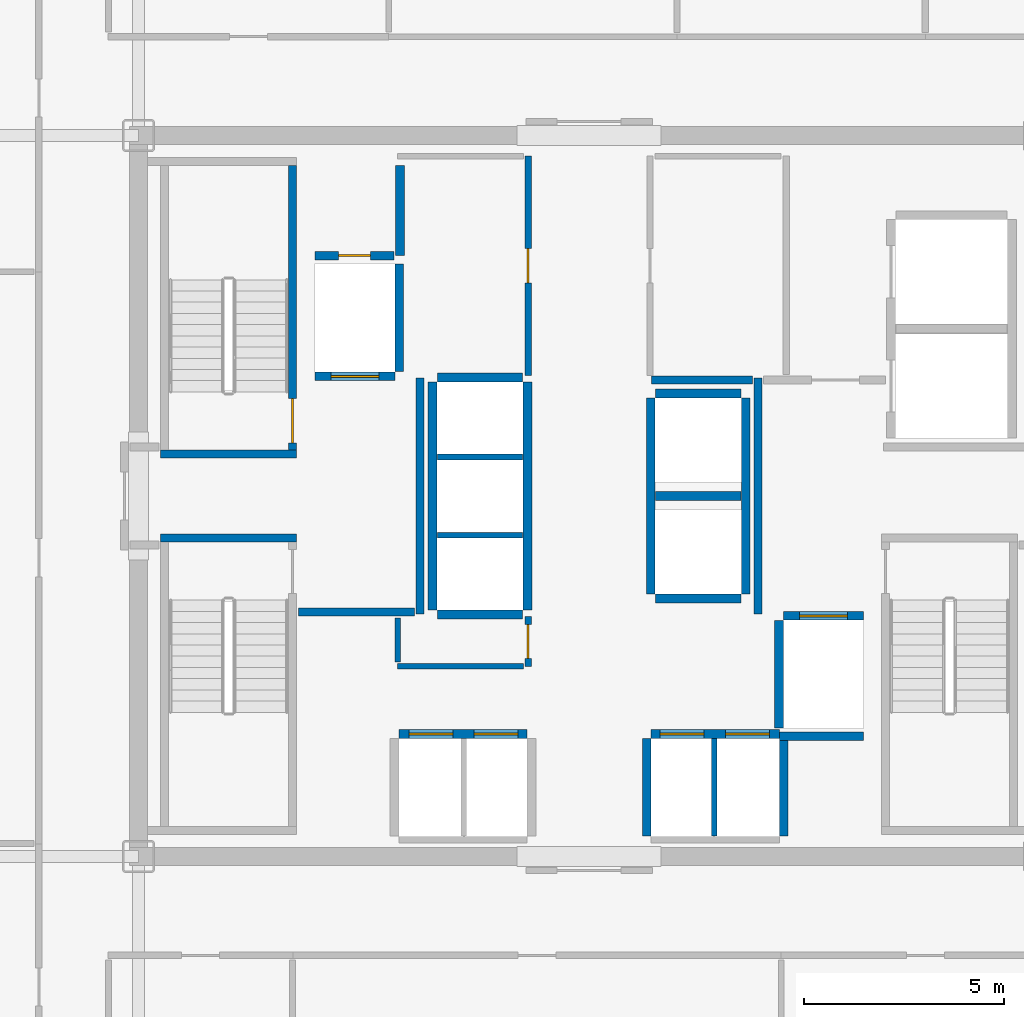
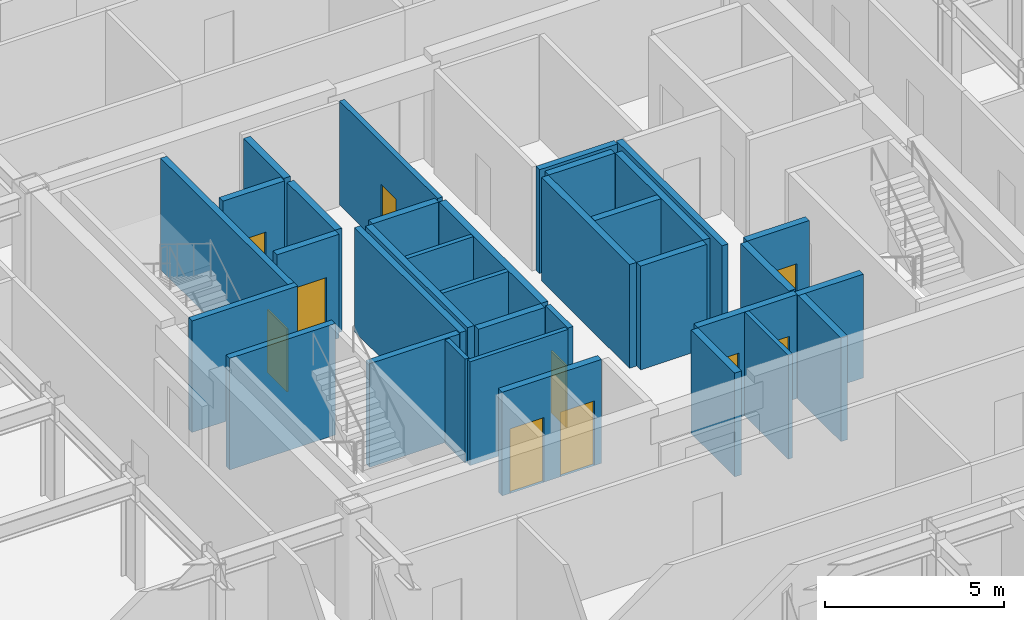
# One storey, part 15 of 20: 34 walls, 10 doors, 10 openings.
"""IFC4 building model written with IfcOpenShell, lengths in metres."""

from ifc_helpers import new_model, si_unit, direction, frame, frame_2d, origin, place, context, subcontext, project, spatial, rectangle, extrude, source, transform, mapped, material, layer, layer_set, type_object, element, fill, save


model = new_model("IFC4")

# Units and contexts
model_context = context("Model", 3, precision=1e-05, world=origin(), true_north=direction((0.0, 1.0)))
body_context = subcontext(model_context, "Body", "Model", "MODEL_VIEW")
ifc_project = project(units=[si_unit("LENGTHUNIT", "METRE"), si_unit("AREAUNIT", "SQUARE_METRE"), si_unit("VOLUMEUNIT", "CUBIC_METRE"), si_unit("PLANEANGLEUNIT", "RADIAN"), si_unit("MASSUNIT", "GRAM", prefix="KILO")], contexts=[model_context])

# Site, building, storey
site_placement = place(None, origin())
site = spatial("IfcSite", under=ifc_project, at=site_placement, CompositionType="ELEMENT")
building_placement = place(site_placement, origin())
building = spatial("IfcBuilding", under=site, at=building_placement, Name="Nefas-Gora Pilgrimage Tower", CompositionType="ELEMENT")
storey_placement = place(building_placement, frame((0.0, 0.0, 244.60009765625)))
storey = spatial("IfcBuildingStorey", under=building, at=storey_placement, Name="L61", CompositionType="ELEMENT", Elevation=244.60009765625)

# Walls
ifc_material_1 = material(Name="Concrete C45/55", Category="concrete")
ifc_layer_1 = layer(ifc_material_1, 0.199951171875)
ifc_layer_set_1 = layer_set([ifc_layer_1], Name="Concrete C45/55")
wall_type_1 = type_object("IfcWallType", Name="IW-STAIR-200", PredefinedType="SOLIDWALL", material=ifc_layer_set_1)
shared_shape_1 = source(origin(), body_context, "Body", "SweptSolid", [
    extrude(rectangle(XDim=3.39990234375, YDim=0.199951171875, at=frame_2d((1.699951171875, 0.0))), origin(), (0.0, 0.0, 1.0), 3.7998046875),
])
for number, where, z_axis, x_axis, name in (
    (1, (-7.300048828125, 1.050048828125, 0.0), (0.0, 0.0, 1.0), (-1.0, 0.0, 0.0), "L61 Stairwell Shear Wall ST-01-near"),
    (2, (-10.699951171875, -1.050048828125, 0.0), (0.0, 0.0, 1.0), (1.0, 0.0, 0.0), "L61 Stairwell Shear Wall ST-03-near"),
):
    element("IfcWall", number, at=place(storey_placement, frame(where, z_axis=z_axis, x_axis=x_axis)), inside=storey, type_object=wall_type_1, Name=name, PredefinedType="SOLIDWALL", context=body_context, shape_type="MappedRepresentation", body=[
        mapped(shared_shape_1, transform((0.0, 0.0, 0.0), x_axis=(1.0, 0.0, 0.0), y_axis=(0.0, 1.0, 0.0), z_axis=(0.0, 0.0, 1.0), scale=1.0)),
    ])

# Wall, opening, door
shared_shape_2 = source(origin(), body_context, "Body", "SweptSolid", [
    extrude(rectangle(XDim=7.10009765625, YDim=0.199951171875, at=frame_2d((3.550048828125, 0.0))), origin(), (0.0, 0.0, 1.0), 3.7998046875),
])
wall_1_placement = place(storey_placement, frame((-7.39990234375, 1.14990234375, 0.0), z_axis=(0.0, 0.0, 1.0), x_axis=(0.0, 1.0, 0.0)))
wall_1 = element("IfcWall", 3, at=wall_1_placement, inside=storey, type_object=wall_type_1, Name="L61 Stairwell Shear Wall ST-01-left", PredefinedType="SOLIDWALL", context=body_context, shape_type="MappedRepresentation", body=[
    mapped(shared_shape_2, transform((0.0, 0.0, 0.0), x_axis=(1.0, 0.0, 0.0), y_axis=(0.0, 1.0, 0.0), z_axis=(0.0, 0.0, 1.0), scale=1.0)),
])
opening_1_placement = place(wall_1_placement, frame((0.179931640625, 0.0, 0.0)))
opening_1 = element("IfcOpeningElement", 4, at=opening_1_placement, cuts=wall_1, Name="Opening ID-ST1", PredefinedType="OPENING", context=body_context, shape_type="SweptSolid", body=[
    extrude(rectangle(XDim=1.10009765625, YDim=2.14990234375, at=frame_2d((0.550048828125, 1.074951171875))), frame((0.0, 0.10986328125, 0.0), z_axis=(0.0, -1.0, 0.0), x_axis=(1.0, 0.0, 0.0)), (0.0, 0.0, 1.0), 0.219970703125),
])
ifc_material_2 = material(Name="Painted galvanised steel fire stair door", Category="steel")
door_type_1 = type_object("IfcDoorType", Name="DR-INT-STAIR-1100", OperationType="NOTDEFINED", PredefinedType="DOOR", material=ifc_material_2)
shared_shape_3 = source(origin(), body_context, "Body", "SweptSolid", [
    extrude(rectangle(XDim=1.10009765625, YDim=2.14990234375, at=frame_2d((0.550048828125, 1.074951171875))), frame((0.0, 0.02490234375, 0.0), z_axis=(0.0, -1.0, 0.0), x_axis=(1.0, 0.0, 0.0)), (0.0, 0.0, 1.0), 0.050048828125),
])
door_1_placement = place(opening_1_placement, origin())
door_1 = element("IfcDoor", 5, at=door_1_placement, inside=storey, type_object=door_type_1, Name="L61 Protected Exit Stair Door ST-01", OperationType="SINGLE_SWING_LEFT", OverallHeight=2.14990234375, OverallWidth=1.10009765625, PredefinedType="DOOR", context=body_context, shape_type="MappedRepresentation", body=[
    mapped(shared_shape_3, transform((0.0, 0.0, 0.0), x_axis=(1.0, 0.0, 0.0), y_axis=(0.0, 1.0, 0.0), z_axis=(0.0, 0.0, 1.0), scale=1.0)),
])
fill(opening_1, door_1)

ifc_material_3 = material(Name="Concrete C40/50", Category="concrete")
ifc_layer_2 = layer(ifc_material_3, 0.219970703125)
ifc_layer_set_2 = layer_set([ifc_layer_2], Name="Concrete C40/50")
wall_type_2 = type_object("IfcWallType", Name="IW-SHAFT-220", PredefinedType="SOLIDWALL", material=ifc_layer_set_2)
shared_shape_4 = source(origin(), body_context, "Body", "SweptSolid", [
    extrude(rectangle(XDim=2.0, YDim=0.219970703125, at=frame_2d((1.0, 0.0))), origin(), (0.0, 0.0, 1.0), 3.534912109375),
])
wall_2_placement = place(storey_placement, frame((-6.85009765625, 2.989990234375, 0.0), z_axis=(0.0, 0.0, 1.0), x_axis=(1.0, 0.0, 0.0)))
wall_2 = element("IfcWall", 6, at=wall_2_placement, inside=storey, type_object=wall_type_2, Name="L61 Hoistway Wall FFL-01-S", PredefinedType="SOLIDWALL", context=body_context, shape_type="MappedRepresentation", body=[
    mapped(shared_shape_4, transform((0.0, 0.0, 0.0), x_axis=(1.0, 0.0, 0.0), y_axis=(0.0, 1.0, 0.0), z_axis=(0.0, 0.0, 1.0), scale=1.0)),
])
opening_2_placement = place(wall_2_placement, frame((0.39990234375, 0.0, 0.0)))
opening_2 = element("IfcOpeningElement", 7, at=opening_2_placement, cuts=wall_2, Name="Opening LD-FF", PredefinedType="OPENING", context=body_context, shape_type="SweptSolid", body=[
    extrude(rectangle(XDim=1.199951171875, YDim=2.199951171875, at=frame_2d((0.60009765625, 1.10009765625))), frame((0.0, 0.119873046875, 0.0), z_axis=(0.0, -1.0, 0.0), x_axis=(1.0, 0.0, 0.0)), (0.0, 0.0, 1.0), 0.239990234375),
])
ifc_material_4 = material(Name="Fire-service sliding lift landing door")
door_type_2 = type_object("IfcDoorType", Name="DR-LIFT-FSAE-1200", OperationType="SLIDING_TO_LEFT", PredefinedType="DOOR", material=ifc_material_4)
shared_shape_5 = source(origin(), body_context, "Body", "SweptSolid", [
    extrude(rectangle(XDim=1.199951171875, YDim=2.199951171875, at=frame_2d((0.60009765625, 1.10009765625))), frame((0.0, 0.02490234375, 0.0), z_axis=(0.0, -1.0, 0.0), x_axis=(1.0, 0.0, 0.0)), (0.0, 0.0, 1.0), 0.050048828125),
])
door_2_placement = place(opening_2_placement, origin())
door_2 = element("IfcDoor", 8, at=door_2_placement, inside=storey, type_object=door_type_2, Name="L61 Sliding Lift Landing Door FFL-01", OperationType="SLIDING_TO_LEFT", OverallHeight=2.199951171875, OverallWidth=1.199951171875, PredefinedType="DOOR", context=body_context, shape_type="MappedRepresentation", body=[
    mapped(shared_shape_5, transform((0.0, 0.0, 0.0), x_axis=(1.0, 0.0, 0.0), y_axis=(0.0, 1.0, 0.0), z_axis=(0.0, 0.0, 1.0), scale=1.0)),
])
fill(opening_2, door_2)

wall_3_placement = place(storey_placement, frame((6.85009765625, -2.989990234375, 0.0), z_axis=(0.0, 0.0, 1.0), x_axis=(-1.0, 0.0, 0.0)))
wall_3 = element("IfcWall", 9, at=wall_3_placement, inside=storey, type_object=wall_type_2, Name="L61 Hoistway Wall FFL-02-N", PredefinedType="SOLIDWALL", context=body_context, shape_type="MappedRepresentation", body=[
    mapped(shared_shape_4, transform((0.0, 0.0, 0.0), x_axis=(1.0, 0.0, 0.0), y_axis=(0.0, 1.0, 0.0), z_axis=(0.0, 0.0, 1.0), scale=1.0)),
])
opening_3_placement = place(wall_3_placement, frame((0.39990234375, 0.0, 0.0)))
opening_3 = element("IfcOpeningElement", 10, at=opening_3_placement, cuts=wall_3, Name="Opening LD-FF", PredefinedType="OPENING", context=body_context, shape_type="SweptSolid", body=[
    extrude(rectangle(XDim=1.199951171875, YDim=2.199951171875, at=frame_2d((0.60009765625, 1.10009765625))), frame((0.0, 0.119873046875, 0.0), z_axis=(0.0, -1.0, 0.0), x_axis=(1.0, 0.0, 0.0)), (0.0, 0.0, 1.0), 0.239990234375),
])
door_3_placement = place(opening_3_placement, origin())
door_3 = element("IfcDoor", 11, at=door_3_placement, inside=storey, type_object=door_type_2, Name="L61 Sliding Lift Landing Door FFL-02", OperationType="SLIDING_TO_LEFT", OverallHeight=2.199951171875, OverallWidth=1.199951171875, PredefinedType="DOOR", context=body_context, shape_type="MappedRepresentation", body=[
    mapped(shared_shape_5, transform((0.0, 0.0, 0.0), x_axis=(1.0, 0.0, 0.0), y_axis=(0.0, 1.0, 0.0), z_axis=(0.0, 0.0, 1.0), scale=1.0)),
])
fill(opening_3, door_3)

# Walls
shared_shape_6 = source(origin(), body_context, "Body", "SweptSolid", [
    extrude(rectangle(XDim=2.679931640625, YDim=0.219970703125, at=frame_2d((1.33984375, 0.0))), origin(), (0.0, 0.0, 1.0), 3.534912109375),
])
for number, where, z_axis, x_axis, name in (
    (12, (-4.739990234375, 3.110107421875, 0.0), (0.0, 0.0, 1.0), (0.0, 1.0, 0.0), "L61 Hoistway Wall FFL-01-E"),
    (13, (4.739990234375, -3.110107421875, 0.0), (0.0, 0.0, 1.0), (0.0, -1.0, 0.0), "L61 Hoistway Wall FFL-02-W"),
):
    element("IfcWall", number, at=place(storey_placement, frame(where, z_axis=z_axis, x_axis=x_axis)), inside=storey, type_object=wall_type_2, Name=name, PredefinedType="SOLIDWALL", context=body_context, shape_type="MappedRepresentation", body=[
        mapped(shared_shape_6, transform((0.0, 0.0, 0.0), x_axis=(1.0, 0.0, 0.0), y_axis=(0.0, 1.0, 0.0), z_axis=(0.0, 0.0, 1.0), scale=1.0)),
    ])

# Wall, openings, doors
shared_shape_7 = source(origin(), body_context, "Body", "SweptSolid", [
    extrude(rectangle(XDim=3.199951171875, YDim=0.219970703125, at=frame_2d((1.60009765625, 0.0))), origin(), (0.0, 0.0, 1.0), 3.534912109375),
])
wall_4_placement = place(storey_placement, frame((-1.550048828125, -5.93994140625, 0.0), z_axis=(0.0, 0.0, 1.0), x_axis=(-1.0, 0.0, 0.0)))
wall_4 = element("IfcWall", 14, at=wall_4_placement, inside=storey, type_object=wall_type_2, Name="L61 Hoistway Wall PL2-W-N", PredefinedType="SOLIDWALL", context=body_context, shape_type="MappedRepresentation", body=[
    mapped(shared_shape_7, transform((0.0, 0.0, 0.0), x_axis=(1.0, 0.0, 0.0), y_axis=(0.0, 1.0, 0.0), z_axis=(0.0, 0.0, 1.0), scale=1.0)),
])
opening_4_placement = place(wall_4_placement, frame((1.85009765625, 0.0, 0.0)))
opening_4 = element("IfcOpeningElement", 15, at=opening_4_placement, cuts=wall_4, Name="Opening LD-01", PredefinedType="OPENING", context=body_context, shape_type="SweptSolid", body=[
    extrude(rectangle(XDim=1.10009765625, YDim=2.199951171875, at=frame_2d((0.550048828125, 1.10009765625))), frame((0.0, 0.119873046875, 0.0), z_axis=(0.0, -1.0, 0.0), x_axis=(1.0, 0.0, 0.0)), (0.0, 0.0, 1.0), 0.239990234375),
])
opening_5_placement = place(wall_4_placement, frame((0.22509765625, 0.0, 0.0)))
opening_5 = element("IfcOpeningElement", 16, at=opening_5_placement, cuts=wall_4, Name="Opening LD-01", PredefinedType="OPENING", context=body_context, shape_type="SweptSolid", body=[
    extrude(rectangle(XDim=1.10009765625, YDim=2.199951171875, at=frame_2d((0.550048828125, 1.10009765625))), frame((0.0, 0.119873046875, 0.0), z_axis=(0.0, -1.0, 0.0), x_axis=(1.0, 0.0, 0.0)), (0.0, 0.0, 1.0), 0.239990234375),
])
ifc_material_5 = material(Name="Brushed stainless sliding lift landing door")
door_type_3 = type_object("IfcDoorType", Name="DR-LIFT-PASS-1100", OperationType="DOUBLE_DOOR_SLIDING", PredefinedType="DOOR", material=ifc_material_5)
shared_shape_8 = source(origin(), body_context, "Body", "SweptSolid", [
    extrude(rectangle(XDim=1.10009765625, YDim=2.199951171875, at=frame_2d((0.550048828125, 1.10009765625))), frame((0.0, 0.02490234375, 0.0), z_axis=(0.0, -1.0, 0.0), x_axis=(1.0, 0.0, 0.0)), (0.0, 0.0, 1.0), 0.050048828125),
])
door_4_placement = place(opening_4_placement, origin())
door_4 = element("IfcDoor", 17, at=door_4_placement, inside=storey, type_object=door_type_3, Name="L61 Sliding Lift Landing Door PL2-01", OperationType="DOUBLE_DOOR_SLIDING", OverallHeight=2.199951171875, OverallWidth=1.10009765625, PredefinedType="DOOR", context=body_context, shape_type="MappedRepresentation", body=[
    mapped(shared_shape_8, transform((0.0, 0.0, 0.0), x_axis=(1.0, 0.0, 0.0), y_axis=(0.0, 1.0, 0.0), z_axis=(0.0, 0.0, 1.0), scale=1.0)),
])
fill(opening_4, door_4)
door_5_placement = place(opening_5_placement, origin())
door_5 = element("IfcDoor", 18, at=door_5_placement, inside=storey, type_object=door_type_3, Name="L61 Sliding Lift Landing Door PL2-02", OperationType="DOUBLE_DOOR_SLIDING", OverallHeight=2.199951171875, OverallWidth=1.10009765625, PredefinedType="DOOR", context=body_context, shape_type="MappedRepresentation", body=[
    mapped(shared_shape_8, transform((0.0, 0.0, 0.0), x_axis=(1.0, 0.0, 0.0), y_axis=(0.0, 1.0, 0.0), z_axis=(0.0, 0.0, 1.0), scale=1.0)),
])
fill(opening_5, door_5)

wall_5_placement = place(storey_placement, frame((4.75, -5.93994140625, 0.0), z_axis=(0.0, 0.0, 1.0), x_axis=(-1.0, 0.0, 0.0)))
wall_5 = element("IfcWall", 19, at=wall_5_placement, inside=storey, type_object=wall_type_2, Name="L61 Hoistway Wall PL2-E-N", PredefinedType="SOLIDWALL", context=body_context, shape_type="MappedRepresentation", body=[
    mapped(shared_shape_7, transform((0.0, 0.0, 0.0), x_axis=(1.0, 0.0, 0.0), y_axis=(0.0, 1.0, 0.0), z_axis=(0.0, 0.0, 1.0), scale=1.0)),
])
opening_6_placement = place(wall_5_placement, frame((1.875, 0.0, 0.0)))
opening_6 = element("IfcOpeningElement", 20, at=opening_6_placement, cuts=wall_5, Name="Opening LD-01", PredefinedType="OPENING", context=body_context, shape_type="SweptSolid", body=[
    extrude(rectangle(XDim=1.10009765625, YDim=2.199951171875, at=frame_2d((0.550048828125, 1.10009765625))), frame((0.0, 0.119873046875, 0.0), z_axis=(0.0, -1.0, 0.0), x_axis=(1.0, 0.0, 0.0)), (0.0, 0.0, 1.0), 0.239990234375),
])
opening_7_placement = place(wall_5_placement, frame((0.25, 0.0, 0.0)))
opening_7 = element("IfcOpeningElement", 21, at=opening_7_placement, cuts=wall_5, Name="Opening LD-01", PredefinedType="OPENING", context=body_context, shape_type="SweptSolid", body=[
    extrude(rectangle(XDim=1.10009765625, YDim=2.199951171875, at=frame_2d((0.550048828125, 1.10009765625))), frame((0.0, 0.119873046875, 0.0), z_axis=(0.0, -1.0, 0.0), x_axis=(1.0, 0.0, 0.0)), (0.0, 0.0, 1.0), 0.239990234375),
])
door_6_placement = place(opening_6_placement, origin())
door_6 = element("IfcDoor", 22, at=door_6_placement, inside=storey, type_object=door_type_3, Name="L61 Sliding Lift Landing Door PL2-03", OperationType="DOUBLE_DOOR_SLIDING", OverallHeight=2.199951171875, OverallWidth=1.10009765625, PredefinedType="DOOR", context=body_context, shape_type="MappedRepresentation", body=[
    mapped(shared_shape_8, transform((0.0, 0.0, 0.0), x_axis=(1.0, 0.0, 0.0), y_axis=(0.0, 1.0, 0.0), z_axis=(0.0, 0.0, 1.0), scale=1.0)),
])
fill(opening_6, door_6)
door_7_placement = place(opening_7_placement, origin())
door_7 = element("IfcDoor", 23, at=door_7_placement, inside=storey, type_object=door_type_3, Name="L61 Sliding Lift Landing Door PL2-04", OperationType="DOUBLE_DOOR_SLIDING", OverallHeight=2.199951171875, OverallWidth=1.10009765625, PredefinedType="DOOR", context=body_context, shape_type="MappedRepresentation", body=[
    mapped(shared_shape_8, transform((0.0, 0.0, 0.0), x_axis=(1.0, 0.0, 0.0), y_axis=(0.0, 1.0, 0.0), z_axis=(0.0, 0.0, 1.0), scale=1.0)),
])
fill(opening_7, door_7)

# Walls
shared_shape_9 = source(origin(), body_context, "Body", "SweptSolid", [
    extrude(rectangle(XDim=2.429931640625, YDim=0.219970703125, at=frame_2d((1.21484375, 0.0))), origin(), (0.0, 0.0, 1.0), 3.534912109375),
])
for number, where, z_axis, x_axis, name in (
    (24, (1.43994140625, -6.06005859375, 0.0), (0.0, 0.0, 1.0), (0.0, -1.0, 0.0), "L61 Hoistway Wall PL2-E-W"),
    (25, (4.860107421875, -8.489990234375, 0.0), (0.0, 0.0, 1.0), (0.0, 1.0, 0.0), "L61 Hoistway Wall PL2-E-E"),
):
    element("IfcWall", number, at=place(storey_placement, frame(where, z_axis=z_axis, x_axis=x_axis)), inside=storey, type_object=wall_type_2, Name=name, PredefinedType="SOLIDWALL", context=body_context, shape_type="MappedRepresentation", body=[
        mapped(shared_shape_9, transform((0.0, 0.0, 0.0), x_axis=(1.0, 0.0, 0.0), y_axis=(0.0, 1.0, 0.0), z_axis=(0.0, 0.0, 1.0), scale=1.0)),
    ])
ifc_material_6 = material(Name="Gypsum twin-stud partition")
ifc_layer_3 = layer(ifc_material_6, 0.139892578125)
ifc_layer_set_3 = layer_set([ifc_layer_3], Name="Gypsum twin-stud partition")
wall_type_3 = type_object("IfcWallType", Name="IW-UNIT-140", PredefinedType="PARTITIONING", material=ifc_layer_set_3)
shared_shape_10 = source(origin(), body_context, "Body", "SweptSolid", [
    extrude(rectangle(XDim=2.429931640625, YDim=0.139892578125, at=frame_2d((1.21484375, 0.0))), origin(), (0.0, 0.0, 1.0), 3.534912109375),
])
wall_6_placement = place(storey_placement, frame((3.125, -8.489990234375, 0.0), z_axis=(0.0, 0.0, 1.0), x_axis=(0.0, 1.0, 0.0)))
element("IfcWall", 26, at=wall_6_placement, inside=storey, type_object=wall_type_3, Name="L61 Hoistway Wall PL2-E-DIV", PredefinedType="PARTITIONING", context=body_context, shape_type="MappedRepresentation", body=[
    mapped(shared_shape_10, transform((0.0, 0.0, 0.0), x_axis=(1.0, 0.0, 0.0), y_axis=(0.0, 1.0, 0.0), z_axis=(0.0, 0.0, 1.0), scale=1.0)),
])
shared_shape_11 = source(origin(), body_context, "Body", "SweptSolid", [
    extrude(rectangle(XDim=5.7001953125, YDim=0.219970703125, at=frame_2d((2.85009765625, 0.0))), origin(), (0.0, 0.0, 1.0), 3.534912109375),
])
for number, where, z_axis, x_axis, name in (
    (27, (-1.5400390625, -2.85009765625, 0.0), (0.0, 0.0, 1.0), (0.0, 1.0, 0.0), "L61 Hoistway Wall PL3-01-03-E"),
    (28, (-3.909912109375, 2.85009765625, 0.0), (0.0, 0.0, 1.0), (0.0, -1.0, 0.0), "L61 Hoistway Wall PL3-01-03-W"),
):
    element("IfcWall", number, at=place(storey_placement, frame(where, z_axis=z_axis, x_axis=x_axis)), inside=storey, type_object=wall_type_2, Name=name, PredefinedType="SOLIDWALL", context=body_context, shape_type="MappedRepresentation", body=[
        mapped(shared_shape_11, transform((0.0, 0.0, 0.0), x_axis=(1.0, 0.0, 0.0), y_axis=(0.0, 1.0, 0.0), z_axis=(0.0, 0.0, 1.0), scale=1.0)),
    ])
shared_shape_12 = source(origin(), body_context, "Body", "SweptSolid", [
    extrude(rectangle(XDim=2.130126953125, YDim=0.219970703125, at=frame_2d((1.06494140625, 0.0))), origin(), (0.0, 0.0, 1.0), 3.534912109375),
])
for number, where, z_axis, x_axis, name in (
    (29, (-3.7900390625, -2.9599609375, 0.0), (0.0, 0.0, 1.0), (1.0, 0.0, 0.0), "L61 Hoistway Wall PL3-01-S"),
    (30, (-1.659912109375, 2.9599609375, 0.0), (0.0, 0.0, 1.0), (-1.0, 0.0, 0.0), "L61 Hoistway Wall PL3-03-N"),
    (31, (1.659912109375, -2.56005859375, 0.0), (0.0, 0.0, 1.0), (1.0, 0.0, 0.0), "L61 Hoistway Wall OBS-01-S"),
    (32, (1.659912109375, 0.0, 0.0), (0.0, 0.0, 1.0), (1.0, 0.0, 0.0), "L61 Hoistway Wall OBS-01-02-DIV"),
    (33, (3.7900390625, 2.56005859375, 0.0), (0.0, 0.0, 1.0), (-1.0, 0.0, 0.0), "L61 Hoistway Wall OBS-02-N"),
):
    element("IfcWall", number, at=place(storey_placement, frame(where, z_axis=z_axis, x_axis=x_axis)), inside=storey, type_object=wall_type_2, Name=name, PredefinedType="SOLIDWALL", context=body_context, shape_type="MappedRepresentation", body=[
        mapped(shared_shape_12, transform((0.0, 0.0, 0.0), x_axis=(1.0, 0.0, 0.0), y_axis=(0.0, 1.0, 0.0), z_axis=(0.0, 0.0, 1.0), scale=1.0)),
    ])
shared_shape_13 = source(origin(), body_context, "Body", "SweptSolid", [
    extrude(rectangle(XDim=2.130126953125, YDim=0.139892578125, at=frame_2d((1.06494140625, 0.0))), origin(), (0.0, 0.0, 1.0), 3.534912109375),
])
for number, where, z_axis, x_axis, name in (
    (34, (-3.7900390625, -0.97509765625, 0.0), (0.0, 0.0, 1.0), (1.0, 0.0, 0.0), "L61 Hoistway Wall PL3-01-02-DIV"),
    (35, (-3.7900390625, 0.97509765625, 0.0), (0.0, 0.0, 1.0), (1.0, 0.0, 0.0), "L61 Hoistway Wall PL3-02-03-DIV"),
):
    element("IfcWall", number, at=place(storey_placement, frame(where, z_axis=z_axis, x_axis=x_axis)), inside=storey, type_object=wall_type_3, Name=name, PredefinedType="PARTITIONING", context=body_context, shape_type="MappedRepresentation", body=[
        mapped(shared_shape_13, transform((0.0, 0.0, 0.0), x_axis=(1.0, 0.0, 0.0), y_axis=(0.0, 1.0, 0.0), z_axis=(0.0, 0.0, 1.0), scale=1.0)),
    ])
shared_shape_14 = source(origin(), body_context, "Body", "SweptSolid", [
    extrude(rectangle(XDim=4.89990234375, YDim=0.219970703125, at=frame_2d((2.449951171875, 0.0))), origin(), (0.0, 0.0, 1.0), 3.534912109375),
])
for number, where, z_axis, x_axis, name in (
    (36, (1.5400390625, 2.449951171875, 0.0), (0.0, 0.0, 1.0), (0.0, -1.0, 0.0), "L61 Hoistway Wall OBS-01-02-W"),
    (37, (3.909912109375, -2.449951171875, 0.0), (0.0, 0.0, 1.0), (0.0, 1.0, 0.0), "L61 Hoistway Wall OBS-01-02-E"),
):
    element("IfcWall", number, at=place(storey_placement, frame(where, z_axis=z_axis, x_axis=x_axis)), inside=storey, type_object=wall_type_2, Name=name, PredefinedType="SOLIDWALL", context=body_context, shape_type="MappedRepresentation", body=[
        mapped(shared_shape_14, transform((0.0, 0.0, 0.0), x_axis=(1.0, 0.0, 0.0), y_axis=(0.0, 1.0, 0.0), z_axis=(0.0, 0.0, 1.0), scale=1.0)),
    ])
shared_shape_15 = source(origin(), body_context, "Body", "SweptSolid", [
    extrude(rectangle(XDim=2.09521484375, YDim=0.219970703125, at=frame_2d((1.047607421875, 0.0))), origin(), (0.0, 0.0, 1.0), 3.534912109375),
])
wall_7_placement = place(storey_placement, frame((4.7548828125, -6.0, 0.0), z_axis=(0.0, 0.0, 1.0), x_axis=(1.0, 0.0, 0.0)))
element("IfcWall", 38, at=wall_7_placement, inside=storey, type_object=wall_type_2, Name="L61 Riser Shaft Wall 3", PredefinedType="SOLIDWALL", context=body_context, shape_type="MappedRepresentation", body=[
    mapped(shared_shape_15, transform((0.0, 0.0, 0.0), x_axis=(1.0, 0.0, 0.0), y_axis=(0.0, 1.0, 0.0), z_axis=(0.0, 0.0, 1.0), scale=1.0)),
])
ifc_material_7 = material(Name="Gypsum fire-rated shaftwall")
ifc_layer_4 = layer(ifc_material_7, 0.199951171875)
ifc_layer_set_4 = layer_set([ifc_layer_4], Name="Gypsum fire-rated shaftwall")
wall_type_4 = type_object("IfcWallType", Name="IW-FFLOB-200", PredefinedType="PARTITIONING", material=ifc_layer_set_4)
shared_shape_16 = source(origin(), body_context, "Body", "SweptSolid", [
    extrude(rectangle(XDim=5.89990234375, YDim=0.199951171875, at=frame_2d((2.949951171875, 0.0))), origin(), (0.0, 0.0, 1.0), 3.534912109375),
])
for number, where, z_axis, x_axis, name in (
    (39, (-4.219970703125, -2.949951171875, 0.0), (0.0, 0.0, 1.0), (0.0, 1.0, 0.0), "L61 FF Lobby West Inner Wall Wall 5"),
    (40, (4.219970703125, -2.949951171875, 0.0), (0.0, 0.0, 1.0), (0.0, 1.0, 0.0), "L61 FF Lobby East Inner Wall Wall 10"),
):
    element("IfcWall", number, at=place(storey_placement, frame(where, z_axis=z_axis, x_axis=x_axis)), inside=storey, type_object=wall_type_4, Name=name, PredefinedType="PARTITIONING", context=body_context, shape_type="MappedRepresentation", body=[
        mapped(shared_shape_16, transform((0.0, 0.0, 0.0), x_axis=(1.0, 0.0, 0.0), y_axis=(0.0, 1.0, 0.0), z_axis=(0.0, 0.0, 1.0), scale=1.0)),
    ])
shared_shape_17 = source(origin(), body_context, "Body", "SweptSolid", [
    extrude(rectangle(XDim=2.89990234375, YDim=0.199951171875, at=frame_2d((1.449951171875, 0.0))), origin(), (0.0, 0.0, 1.0), 3.534912109375),
])
wall_8_placement = place(storey_placement, frame((-7.260009765625, -2.89990234375, 0.0), z_axis=(0.0, 0.0, 1.0), x_axis=(1.0, 0.0, 0.0)))
element("IfcWall", 41, at=wall_8_placement, inside=storey, type_object=wall_type_4, Name="L61 FF Lobby West South Wall Wall 6", PredefinedType="PARTITIONING", context=body_context, shape_type="MappedRepresentation", body=[
    mapped(shared_shape_17, transform((0.0, 0.0, 0.0), x_axis=(1.0, 0.0, 0.0), y_axis=(0.0, 1.0, 0.0), z_axis=(0.0, 0.0, 1.0), scale=1.0)),
])

# Wall, opening, door
ifc_material_8 = material(Name="Gypsum acoustic stud partition")
ifc_layer_5 = layer(ifc_material_8, 0.159912109375)
ifc_layer_set_5 = layer_set([ifc_layer_5], Name="Gypsum acoustic stud partition")
wall_type_5 = type_object("IfcWallType", Name="IW-CORR-160", PredefinedType="PARTITIONING", material=ifc_layer_set_5)
shared_shape_18 = source(origin(), body_context, "Body", "SweptSolid", [
    extrude(rectangle(XDim=1.25, YDim=0.159912109375, at=frame_2d((0.625, 0.0))), origin(), (0.0, 0.0, 1.0), 3.534912109375),
])
wall_9_placement = place(storey_placement, frame((-1.52001953125, -4.260009765625, 0.0), z_axis=(0.0, 0.0, 1.0), x_axis=(0.0, 1.0, 0.0)))
wall_9 = element("IfcWall", 42, at=wall_9_placement, inside=storey, type_object=wall_type_5, Name="L61 Pilgrim Baggage and Gear Vault Wall 20", PredefinedType="PARTITIONING", context=body_context, shape_type="MappedRepresentation", body=[
    mapped(shared_shape_18, transform((0.0, 0.0, 0.0), x_axis=(1.0, 0.0, 0.0), y_axis=(0.0, 1.0, 0.0), z_axis=(0.0, 0.0, 1.0), scale=1.0)),
])
opening_8_placement = place(wall_9_placement, frame((0.199951171875, 0.0, 0.0)))
opening_8 = element("IfcOpeningElement", 43, at=opening_8_placement, cuts=wall_9, Name="Opening ID-BT1", PredefinedType="OPENING", context=body_context, shape_type="SweptSolid", body=[
    extrude(rectangle(XDim=0.85009765625, YDim=2.10009765625, at=frame_2d((0.425048828125, 1.050048828125))), frame((0.0, 0.08984375, 0.0), z_axis=(0.0, -1.0, 0.0), x_axis=(1.0, 0.0, 0.0)), (0.0, 0.0, 1.0), 0.179931640625),
])
ifc_material_9 = material(Name="Moisture-resistant fire-rated timber door", Category="wood")
door_type_4 = type_object("IfcDoorType", Name="DR-INT-BATH-850", OperationType="NOTDEFINED", PredefinedType="DOOR", material=ifc_material_9)
shared_shape_19 = source(origin(), body_context, "Body", "SweptSolid", [
    extrude(rectangle(XDim=0.85009765625, YDim=2.10009765625, at=frame_2d((0.425048828125, 1.050048828125))), frame((0.0, 0.02490234375, 0.0), z_axis=(0.0, -1.0, 0.0), x_axis=(1.0, 0.0, 0.0)), (0.0, 0.0, 1.0), 0.050048828125),
])
door_8_placement = place(opening_8_placement, origin())
door_8 = element("IfcDoor", 44, at=door_8_placement, inside=storey, type_object=door_type_4, Name="L61 Pilgrim Baggage and Gear Vault Door 8", OperationType="SINGLE_SWING_RIGHT", OverallHeight=2.10009765625, OverallWidth=0.85009765625, PredefinedType="DOOR", context=body_context, shape_type="MappedRepresentation", body=[
    mapped(shared_shape_19, transform((0.0, 0.0, 0.0), x_axis=(1.0, 0.0, 0.0), y_axis=(0.0, 1.0, 0.0), z_axis=(0.0, 0.0, 1.0), scale=1.0)),
])
fill(opening_8, door_8)

# Walls
shared_shape_20 = source(origin(), body_context, "Body", "SweptSolid", [
    extrude(rectangle(XDim=3.150146484375, YDim=0.139892578125, at=frame_2d((1.5751953125, 0.0))), origin(), (0.0, 0.0, 1.0), 3.534912109375),
])
wall_10_placement = place(storey_placement, frame((-4.7900390625, -4.25, 0.0), z_axis=(0.0, 0.0, 1.0), x_axis=(1.0, 0.0, 0.0)))
element("IfcWall", 45, at=wall_10_placement, inside=storey, type_object=wall_type_3, Name="L61 Pilgrim Baggage and Gear Vault Partition Wall 21", PredefinedType="PARTITIONING", context=body_context, shape_type="MappedRepresentation", body=[
    mapped(shared_shape_20, transform((0.0, 0.0, 0.0), x_axis=(1.0, 0.0, 0.0), y_axis=(0.0, 1.0, 0.0), z_axis=(0.0, 0.0, 1.0), scale=1.0)),
])
shared_shape_21 = source(origin(), body_context, "Body", "SweptSolid", [
    extrude(rectangle(XDim=1.099853515625, YDim=0.139892578125, at=frame_2d((0.5498046875, 0.0))), origin(), (0.0, 0.0, 1.0), 3.534912109375),
])
wall_11_placement = place(storey_placement, frame((-4.780029296875, -4.139892578125, 0.0), z_axis=(0.0, 0.0, 1.0), x_axis=(0.0, 1.0, 0.0)))
element("IfcWall", 46, at=wall_11_placement, inside=storey, type_object=wall_type_3, Name="L61 Pilgrim Baggage and Gear Vault Partition Wall 22", PredefinedType="PARTITIONING", context=body_context, shape_type="MappedRepresentation", body=[
    mapped(shared_shape_21, transform((0.0, 0.0, 0.0), x_axis=(1.0, 0.0, 0.0), y_axis=(0.0, 1.0, 0.0), z_axis=(0.0, 0.0, 1.0), scale=1.0)),
])
shared_shape_22 = source(origin(), body_context, "Body", "SweptSolid", [
    extrude(rectangle(XDim=2.25, YDim=0.219970703125, at=frame_2d((1.125, 0.0))), origin(), (0.0, 0.0, 1.0), 3.534912109375),
])
wall_12_placement = place(storey_placement, frame((-4.719970703125, 6.0, 0.0), z_axis=(0.0, 0.0, 1.0), x_axis=(0.0, 1.0, 0.0)))
element("IfcWall", 47, at=wall_12_placement, inside=storey, type_object=wall_type_2, Name="L61 Riser Shaft Wall 1", PredefinedType="SOLIDWALL", context=body_context, shape_type="MappedRepresentation", body=[
    mapped(shared_shape_22, transform((0.0, 0.0, 0.0), x_axis=(1.0, 0.0, 0.0), y_axis=(0.0, 1.0, 0.0), z_axis=(0.0, 0.0, 1.0), scale=1.0)),
])

# Wall, opening, door
shared_shape_23 = source(origin(), body_context, "Body", "SweptSolid", [
    extrude(rectangle(XDim=1.97998046875, YDim=0.219970703125, at=frame_2d((0.989990234375, 0.0))), origin(), (0.0, 0.0, 1.0), 3.534912109375),
])
wall_13_placement = place(storey_placement, frame((-6.85009765625, 6.0, 0.0), z_axis=(0.0, 0.0, 1.0), x_axis=(1.0, 0.0, 0.0)))
wall_13 = element("IfcWall", 48, at=wall_13_placement, inside=storey, type_object=wall_type_2, Name="L61 Riser Shaft Wall 2", PredefinedType="SOLIDWALL", context=body_context, shape_type="MappedRepresentation", body=[
    mapped(shared_shape_23, transform((0.0, 0.0, 0.0), x_axis=(1.0, 0.0, 0.0), y_axis=(0.0, 1.0, 0.0), z_axis=(0.0, 0.0, 1.0), scale=1.0)),
])
opening_9_placement = place(wall_13_placement, frame((0.590087890625, 0.0, 0.0)))
opening_9 = element("IfcOpeningElement", 49, at=opening_9_placement, cuts=wall_13, Name="Opening ID-TR1", PredefinedType="OPENING", context=body_context, shape_type="SweptSolid", body=[
    extrude(rectangle(XDim=0.800048828125, YDim=2.0, at=frame_2d((0.39990234375, 1.0))), frame((0.0, 0.119873046875, 0.0), z_axis=(0.0, -1.0, 0.0), x_axis=(1.0, 0.0, 0.0)), (0.0, 0.0, 1.0), 0.239990234375),
])
ifc_material_10 = material(Name="Riser maintenance fire access door")
door_type_5 = type_object("IfcDoorType", Name="DR-INT-TRAP-800", OperationType="NOTDEFINED", PredefinedType="TRAPDOOR", material=ifc_material_10)
shared_shape_24 = source(origin(), body_context, "Body", "SweptSolid", [
    extrude(rectangle(XDim=0.800048828125, YDim=2.0, at=frame_2d((0.39990234375, 1.0))), frame((0.0, 0.02490234375, 0.0), z_axis=(0.0, -1.0, 0.0), x_axis=(1.0, 0.0, 0.0)), (0.0, 0.0, 1.0), 0.050048828125),
])
door_9_placement = place(opening_9_placement, origin())
door_9 = element("IfcDoor", 50, at=door_9_placement, inside=storey, type_object=door_type_5, Name="L61 Riser Shaft Door 1", OperationType="SINGLE_SWING_LEFT", OverallHeight=2.0, OverallWidth=0.800048828125, PredefinedType="TRAPDOOR", context=body_context, shape_type="MappedRepresentation", body=[
    mapped(shared_shape_24, transform((0.0, 0.0, 0.0), x_axis=(1.0, 0.0, 0.0), y_axis=(0.0, 1.0, 0.0), z_axis=(0.0, 0.0, 1.0), scale=1.0)),
])
fill(opening_9, door_9)

# Wall
shared_shape_25 = source(origin(), body_context, "Body", "SweptSolid", [
    extrude(rectangle(XDim=2.52001953125, YDim=0.199951171875, at=frame_2d((1.260009765625, 0.0))), origin(), (0.0, 0.0, 1.0), 3.534912109375),
])
wall_14_placement = place(storey_placement, frame((1.56005859375, 2.89990234375, 0.0), z_axis=(0.0, 0.0, 1.0), x_axis=(1.0, 0.0, 0.0)))
element("IfcWall", 51, at=wall_14_placement, inside=storey, type_object=wall_type_4, Name="L61 FF Lobby East North Wall Wall 11", PredefinedType="PARTITIONING", context=body_context, shape_type="MappedRepresentation", body=[
    mapped(shared_shape_25, transform((0.0, 0.0, 0.0), x_axis=(1.0, 0.0, 0.0), y_axis=(0.0, 1.0, 0.0), z_axis=(0.0, 0.0, 1.0), scale=1.0)),
])

# Wall, opening, door
shared_shape_26 = source(origin(), body_context, "Body", "SweptSolid", [
    extrude(rectangle(XDim=5.47998046875, YDim=0.159912109375, at=frame_2d((2.739990234375, 0.0))), origin(), (0.0, 0.0, 1.0), 3.534912109375),
])
wall_15_placement = place(storey_placement, frame((-1.52001953125, 3.010009765625, 0.0), z_axis=(0.0, 0.0, 1.0), x_axis=(0.0, 1.0, 0.0)))
wall_15 = element("IfcWall", 52, at=wall_15_placement, inside=storey, type_object=wall_type_5, Name="L61 Housekeeping and Linen Store Wall 18", PredefinedType="PARTITIONING", context=body_context, shape_type="MappedRepresentation", body=[
    mapped(shared_shape_26, transform((0.0, 0.0, 0.0), x_axis=(1.0, 0.0, 0.0), y_axis=(0.0, 1.0, 0.0), z_axis=(0.0, 0.0, 1.0), scale=1.0)),
])
opening_10_placement = place(wall_15_placement, frame((2.31494140625, 0.0, 0.0)))
opening_10 = element("IfcOpeningElement", 53, at=opening_10_placement, cuts=wall_15, Name="Opening ID-BT1", PredefinedType="OPENING", context=body_context, shape_type="SweptSolid", body=[
    extrude(rectangle(XDim=0.85009765625, YDim=2.10009765625, at=frame_2d((0.425048828125, 1.050048828125))), frame((0.0, 0.08984375, 0.0), z_axis=(0.0, -1.0, 0.0), x_axis=(1.0, 0.0, 0.0)), (0.0, 0.0, 1.0), 0.179931640625),
])
door_10_placement = place(opening_10_placement, origin())
door_10 = element("IfcDoor", 54, at=door_10_placement, inside=storey, type_object=door_type_4, Name="L61 Housekeeping and Linen Store Door 7", OperationType="SINGLE_SWING_LEFT", OverallHeight=2.10009765625, OverallWidth=0.85009765625, PredefinedType="DOOR", context=body_context, shape_type="MappedRepresentation", body=[
    mapped(shared_shape_19, transform((0.0, 0.0, 0.0), x_axis=(1.0, 0.0, 0.0), y_axis=(0.0, 1.0, 0.0), z_axis=(0.0, 0.0, 1.0), scale=1.0)),
])
fill(opening_10, door_10)

save(model, "model.ifc")
